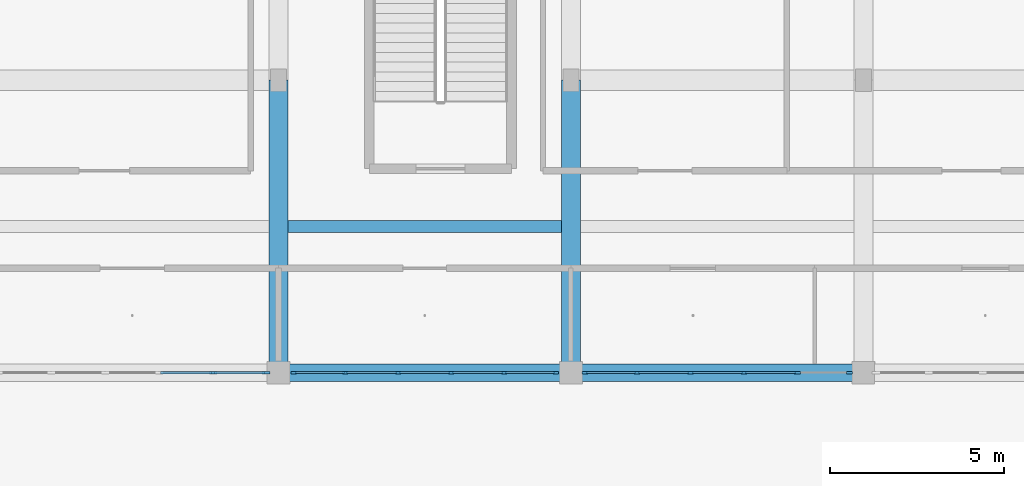
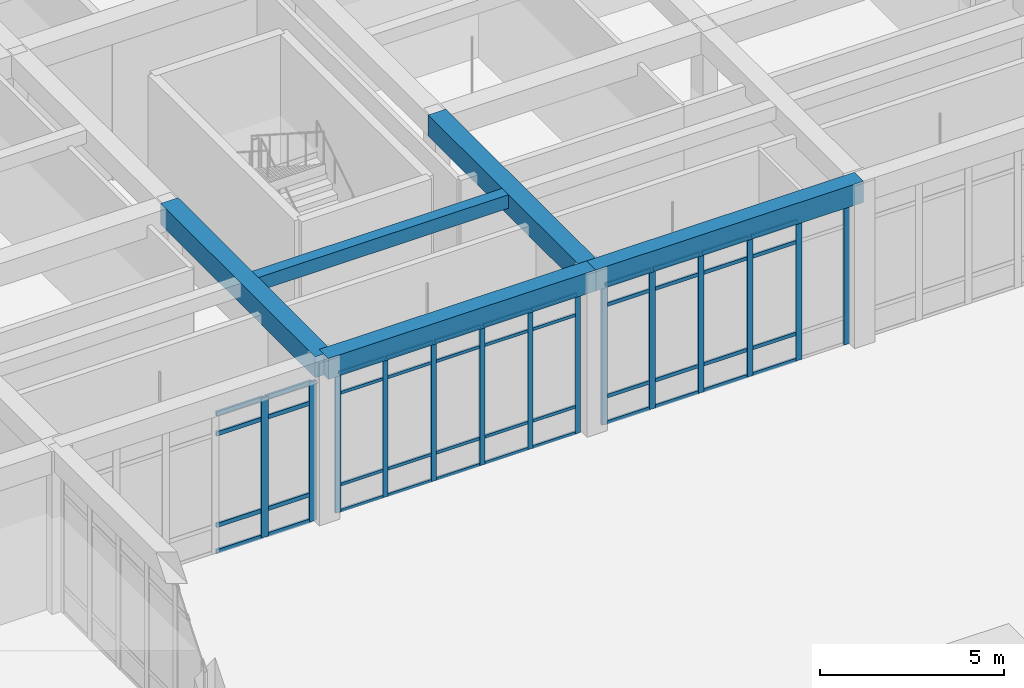
# One storey, part 27 of 167: 58 members, 5 beams, 3 elements without a shape of their own.
"""IFC4 building model written with IfcOpenShell, lengths in metres."""

import ifcopenshell
import ifcopenshell.guid

model = None  # the IFC model being written
_history = None  # IfcOwnerHistory: only IFC2X3 demands one
_inside = {}  # id of a spatial element -> (the spatial element, [elements in it])
_under = {}  # id of a project, library or spatial element -> (it, [spatial elements below it])
_declared = {}  # id of a project -> (the project, [libraries it declares])
_typed = {}  # id of a type object -> (the type object, [elements of that type])
_made_of = {}  # id of a material, layer set ... -> (it, [elements and type objects made of it])


def new_model(schema):
    """Start an empty IFC model of exactly this schema.

    Asked for "IFC4X3", IfcOpenShell would pick the latest addendum, in which some entities
    have other attributes; the version numbers below select the first issue.
    IFC2X3 requires an IfcOwnerHistory on every rooted entity: one is made here for all.
    """
    global model, _history
    if schema == "IFC4X3":
        model = ifcopenshell.file(schema_version=(4, 3, 0, 0))
    else:
        model = ifcopenshell.file(schema=schema)
    _inside.clear()
    _under.clear()
    _declared.clear()
    _typed.clear()
    _made_of.clear()
    _history = None
    if model.schema == "IFC2X3":
        org = make("IfcOrganization", Name="unknown")
        user = make(
            "IfcPersonAndOrganization",
            ThePerson=make("IfcPerson", FamilyName="unknown"),
            TheOrganization=org,
        )
        app = make(
            "IfcApplication",
            ApplicationDeveloper=org,
            Version="unknown",
            ApplicationFullName="unknown",
            ApplicationIdentifier="unknown",
        )
        _history = make(
            "IfcOwnerHistory",
            OwningUser=user,
            OwningApplication=app,
            ChangeAction="ADDED",
            CreationDate=0,
        )
    return model


def make(cls, **values):
    """One entity of the class cls with the attributes given. An attribute that is None is left unset."""
    return model.create_entity(
        cls, **{name: value for name, value in values.items() if value is not None}
    )


def rooted(cls, **values):
    """An entity with a GlobalId (a new one), such as an element, a storey or a relation."""
    return make(cls, GlobalId=ifcopenshell.guid.new(), OwnerHistory=_history, **values)


def si_unit(unit_type, name, prefix=None):
    """IfcSIUnit, for example si_unit("LENGTHUNIT", "METRE", prefix="MILLI")."""
    return make("IfcSIUnit", UnitType=unit_type, Prefix=prefix, Name=name)


def assignment(units):
    """IfcUnitAssignment: the units of a project."""
    return None if units is None else make("IfcUnitAssignment", Units=units)


def point(xyz):
    """IfcCartesianPoint."""
    return None if xyz is None else make("IfcCartesianPoint", Coordinates=xyz)


def direction(xyz):
    """IfcDirection."""
    return None if xyz is None else make("IfcDirection", DirectionRatios=xyz)


def frame(location, z_axis=None, x_axis=None):
    """IfcAxis2Placement3D, a coordinate frame: its origin and axes. An axis left out is left unset."""
    return make(
        "IfcAxis2Placement3D",
        Location=point(location),
        Axis=direction(z_axis),
        RefDirection=direction(x_axis),
    )


def frame_2d(location, x_axis=None):
    """IfcAxis2Placement2D, a coordinate frame in the plane: its origin and x axis."""
    return make(
        "IfcAxis2Placement2D", Location=point(location), RefDirection=direction(x_axis)
    )


def origin():
    """The frame at (0, 0, 0) with its axes left unset."""
    return frame((0.0, 0.0, 0.0))


def origin_2d():
    """The frame at (0, 0) in the plane with its x axis left unset."""
    return frame_2d((0.0, 0.0))


def place(relative_to, where):
    """IfcLocalPlacement: puts the frame where relative to a parent placement (None: the world)."""
    return make(
        "IfcLocalPlacement", PlacementRelTo=relative_to, RelativePlacement=where
    )


def context(
    kind, dimensions, precision=None, world=None, true_north=None, identifier=None
):
    """IfcGeometricRepresentationContext, for example the 3D "Model" context."""
    return make(
        "IfcGeometricRepresentationContext",
        ContextIdentifier=identifier,
        ContextType=kind,
        CoordinateSpaceDimension=dimensions,
        Precision=precision,
        WorldCoordinateSystem=world,
        TrueNorth=true_north,
    )


def subcontext(parent, identifier, kind, view, scale=None):
    """IfcGeometricRepresentationSubContext, for example "Body" below "Model"."""
    return make(
        "IfcGeometricRepresentationSubContext",
        ContextIdentifier=identifier,
        ContextType=kind,
        ParentContext=parent,
        TargetScale=scale,
        TargetView=view,
    )


def project(units=None, contexts=None):
    """IfcProject with its units and contexts."""
    return rooted(
        "IfcProject",
        Name="project",
        RepresentationContexts=contexts,
        UnitsInContext=assignment(units),
    )


def spatial(cls, under=None, at=None, **own):
    """A site, building, storey or space (cls), placed at a placement, below another one or the project."""
    s = rooted(cls, ObjectPlacement=at, **own)
    if under is not None:
        _under.setdefault(under.id(), (under, []))[1].append(s)
    return s


def profile(cls, at=None, kind="AREA", **sizes):
    """A parametric profile (cls). Its sizes go by their IFC names, for example OverallWidth=200.0."""
    return make(cls, ProfileType=kind, Position=at, **sizes)


def rectangle(**sizes):
    """IfcRectangleProfileDef."""
    return profile("IfcRectangleProfileDef", **sizes)


def extrude(swept, where, along, depth):
    """IfcExtrudedAreaSolid: the profile swept, set in the frame where, extruded along a direction by depth."""
    return make(
        "IfcExtrudedAreaSolid",
        SweptArea=swept,
        Position=where,
        ExtrudedDirection=direction(along),
        Depth=depth,
    )


def shape(context_of_items, identifier, shape_type, items):
    """IfcShapeRepresentation: the items that make up one representation, for example the "Body"."""
    return make(
        "IfcShapeRepresentation",
        ContextOfItems=context_of_items,
        RepresentationIdentifier=identifier,
        RepresentationType=shape_type,
        Items=items,
    )


def material(Name=None, Category=None):
    """IfcMaterial."""
    return make("IfcMaterial", Name=Name, Category=Category)


def material_profile(
    of_material, cross_section, Name=None, Category=None, Priority=None
):
    """IfcMaterialProfile: a cross section and its material."""
    return make(
        "IfcMaterialProfile",
        Name=Name,
        Material=of_material,
        Profile=cross_section,
        Priority=Priority,
        Category=Category,
    )


def profile_set(profiles, Name=None, composite=None):
    """IfcMaterialProfileSet."""
    return make(
        "IfcMaterialProfileSet",
        Name=Name,
        MaterialProfiles=profiles,
        CompositeProfile=composite,
    )


def made_of(thing, what):
    """Note that an element or type object is made of a material, layer set ...; save() writes the relation."""
    if what is not None:
        _made_of.setdefault(what.id(), (what, []))[1].append(thing)
    return thing


def type_object(cls, material=None, **own):
    """A type object (cls), such as IfcWallType, which elements share."""
    return made_of(rooted(cls, **own), material)


def element(
    cls,
    number,
    at=None,
    inside=None,
    cuts=None,
    type_object=None,
    material=None,
    context=None,
    identifier="Body",
    shape_type=None,
    held_by="IfcProductDefinitionShape",
    body=None,
    shapes=None,
    **own,
):
    """One element of the class cls, such as IfcWall. Its Tag is "e" and its number.

    at: its placement. inside: the storey or other place that contains it. cuts: it is an
    opening in that element (IfcRelVoidsElement). A single representation is given by context,
    identifier, shape_type and body (its items); several are given by shapes. held_by: the class
    of the entity that holds the representations. save() writes the other relations.
    """
    e = rooted(cls, Tag="e%d" % number, ObjectPlacement=at, **own)
    if body is not None:
        shapes = [shape(context, identifier, shape_type, body)]
    if shapes is not None:
        e.Representation = make(held_by, Representations=shapes)
    if inside is not None:
        _inside.setdefault(inside.id(), (inside, []))[1].append(e)
    if cuts is not None:
        rooted(
            "IfcRelVoidsElement", RelatingBuildingElement=cuts, RelatedOpeningElement=e
        )
    if type_object is not None:
        _typed.setdefault(type_object.id(), (type_object, []))[1].append(e)
    return made_of(e, material)


def aggregate(whole, parts):
    """IfcRelAggregates: a whole, such as a stair, and the parts it consists of."""
    return rooted("IfcRelAggregates", RelatingObject=whole, RelatedObjects=parts)


def save(model, path):
    """Write the relations noted so far, then the file.

    IfcRelAggregates (storeys below a building ...), IfcRelContainedInSpatialStructure (elements
    in a storey), IfcRelDefinesByType, IfcRelAssociatesMaterial and IfcRelDeclares: one each for
    every whole, place, type object, material and project.
    """
    for whole, parts in _under.values():
        aggregate(whole, parts)
    for where, things in _inside.values():
        rooted(
            "IfcRelContainedInSpatialStructure",
            RelatedElements=things,
            RelatingStructure=where,
        )
    for kind, things in _typed.values():
        rooted("IfcRelDefinesByType", RelatedObjects=things, RelatingType=kind)
    for what, things in _made_of.values():
        rooted("IfcRelAssociatesMaterial", RelatedObjects=things, RelatingMaterial=what)
    for by, libraries in _declared.values():
        rooted("IfcRelDeclares", RelatingContext=by, RelatedDefinitions=libraries)
    model.write(path)


model = new_model("IFC4")

# Units and contexts
model_context = context("Model", 3, precision=1e-05, world=origin(), true_north=direction((0.0, 1.0)))
body_context = subcontext(model_context, "Body", "Model", "MODEL_VIEW")
ifc_project = project(units=[si_unit("LENGTHUNIT", "METRE"), si_unit("AREAUNIT", "SQUARE_METRE"), si_unit("VOLUMEUNIT", "CUBIC_METRE"), si_unit("PLANEANGLEUNIT", "RADIAN"), si_unit("MASSUNIT", "GRAM", prefix="KILO")], contexts=[model_context])

# Site, building, storey
site_placement = place(None, origin())
site = spatial("IfcSite", under=ifc_project, at=site_placement, CompositionType="ELEMENT")
building_placement = place(site_placement, origin())
building = spatial("IfcBuilding", under=site, at=building_placement, Name="Varncliffe General Hospital", CompositionType="ELEMENT")
storey_placement = place(building_placement, origin())
storey = spatial("IfcBuildingStorey", under=building, at=storey_placement, Name="L00", CompositionType="ELEMENT", Elevation=0.0)

# Beams
ifc_material_1 = material(Name="Concrete C35/45 (CSA A23.1 35 MPa)", Category="concrete")
ifc_material_profile_1 = material_profile(ifc_material_1, rectangle(XDim=0.550048828125, YDim=0.699951171875, at=origin_2d()), Name="RC 550x700")
ifc_profile_set_1 = profile_set([ifc_material_profile_1], Name="Concrete C35/45 (CSA A23.1 35 MPa)")
beam_type_1 = type_object("IfcBeamType", Name="Beam B35 (Int RC 550x700)", PredefinedType="BEAM", material=ifc_profile_set_1)
for number, where, z_axis, x_axis, name in (
    (1, (33.60009765625, 82.800048828125, 5.050048828125), (0.0, 1.0, 0.0), (-1.0, 0.0, 0.0), "L00 Primary Beam B35-327"),
    (2, (42.0, 82.800048828125, 5.050048828125), (0.0, 1.0, 0.0), (-1.0, 0.0, 0.0), "L00 Primary Beam B35-336"),
):
    element("IfcBeam", number, at=place(storey_placement, frame(where, z_axis=z_axis, x_axis=x_axis)), inside=storey, type_object=beam_type_1, Name=name, PredefinedType="BEAM", context=body_context, shape_type="SweptSolid", body=[
        extrude(rectangle(XDim=0.550048828125, YDim=0.699951171875, at=origin_2d()), origin(), (0.0, 0.0, 1.0), 8.39990234375),
    ])

# Curtain wall, members
ifc_material_2 = material(Name="Triple low-E argon insulated vision glazing", Category="glass")
curtain_wall_type_1 = type_object("IfcCurtainWallType", Name="Unitised Glazed Curtain Wall CW15 (7674x4640)", PredefinedType="USERDEFINED", material=ifc_material_2)
curtain_wall_1_placement = place(storey_placement, origin())
curtain_wall_1 = element("IfcCurtainWall", 3, at=curtain_wall_1_placement, inside=storey, type_object=curtain_wall_type_1, Name="L00 Glazed Curtain Wall CW15-25", ObjectType="GLAZED CURTAIN WALL", PredefinedType="USERDEFINED")
ifc_material_3 = material(Name="Dark bronze thermally broken aluminium framing", Category="aluminium")
ifc_material_profile_2 = material_profile(ifc_material_3, rectangle(XDim=0.074951171875, YDim=0.179931640625, at=origin_2d()), Name="ALU 75x180")
ifc_profile_set_2 = profile_set([ifc_material_profile_2], Name="Dark bronze thermally broken aluminium framing")
member_type_1 = type_object("IfcMemberType", Name="Curtain Wall Mullion CM44 (ALU 75x180)", PredefinedType="MULLION", material=ifc_profile_set_2)
member_1_placement = place(storey_placement, frame((49.99951171875, 82.800048828125, 0.0), z_axis=(0.0, 0.0, 1.0), x_axis=(0.0, -1.0, 0.0)))
member_1 = element("IfcMember", 4, at=member_1_placement, type_object=member_type_1, Name="CW15 mullion 1", PredefinedType="MULLION", context=body_context, shape_type="SweptSolid", body=[
    extrude(rectangle(XDim=0.074951171875, YDim=0.179931640625, at=origin_2d()), origin(), (0.0, 0.0, 1.0), 4.639892578125),
])
member_2_placement = place(storey_placement, frame((48.502197265625, 82.800048828125, 0.0), z_axis=(0.0, 0.0, 1.0), x_axis=(0.0, -1.0, 0.0)))
member_2 = element("IfcMember", 5, at=member_2_placement, type_object=member_type_1, Name="CW15 mullion 2", PredefinedType="MULLION", context=body_context, shape_type="SweptSolid", body=[
    extrude(rectangle(XDim=0.074951171875, YDim=0.179931640625, at=origin_2d()), origin(), (0.0, 0.0, 1.0), 4.639892578125),
])
member_3_placement = place(storey_placement, frame((46.96728515625, 82.800048828125, 0.0), z_axis=(0.0, 0.0, 1.0), x_axis=(0.0, -1.0, 0.0)))
member_3 = element("IfcMember", 6, at=member_3_placement, type_object=member_type_1, Name="CW15 mullion 3", PredefinedType="MULLION", context=body_context, shape_type="SweptSolid", body=[
    extrude(rectangle(XDim=0.074951171875, YDim=0.179931640625, at=origin_2d()), origin(), (0.0, 0.0, 1.0), 4.639892578125),
])
member_4_placement = place(storey_placement, frame((45.4326171875, 82.800048828125, 0.0), z_axis=(0.0, 0.0, 1.0), x_axis=(0.0, -1.0, 0.0)))
member_4 = element("IfcMember", 7, at=member_4_placement, type_object=member_type_1, Name="CW15 mullion 4", PredefinedType="MULLION", context=body_context, shape_type="SweptSolid", body=[
    extrude(rectangle(XDim=0.074951171875, YDim=0.179931640625, at=origin_2d()), origin(), (0.0, 0.0, 1.0), 4.639892578125),
])
member_5_placement = place(storey_placement, frame((43.897705078125, 82.800048828125, 0.0), z_axis=(0.0, 0.0, 1.0), x_axis=(0.0, -1.0, 0.0)))
member_5 = element("IfcMember", 8, at=member_5_placement, type_object=member_type_1, Name="CW15 mullion 5", PredefinedType="MULLION", context=body_context, shape_type="SweptSolid", body=[
    extrude(rectangle(XDim=0.074951171875, YDim=0.179931640625, at=origin_2d()), origin(), (0.0, 0.0, 1.0), 4.639892578125),
])
member_6_placement = place(storey_placement, frame((42.400390625, 82.800048828125, 0.0), z_axis=(0.0, 0.0, 1.0), x_axis=(0.0, -1.0, 0.0)))
member_6 = element("IfcMember", 9, at=member_6_placement, type_object=member_type_1, Name="CW15 mullion 6", PredefinedType="MULLION", context=body_context, shape_type="SweptSolid", body=[
    extrude(rectangle(XDim=0.074951171875, YDim=0.179931640625, at=origin_2d()), origin(), (0.0, 0.0, 1.0), 4.639892578125),
])

curtain_wall_type_2 = type_object("IfcCurtainWallType", Name="Unitised Glazed Curtain Wall CW26 (7594x4640)", PredefinedType="USERDEFINED", material=ifc_material_2)
curtain_wall_2_placement = place(storey_placement, origin())
curtain_wall_2 = element("IfcCurtainWall", 10, at=curtain_wall_2_placement, inside=storey, type_object=curtain_wall_type_2, Name="L00 Glazed Curtain Wall CW26-26", ObjectType="GLAZED CURTAIN WALL", PredefinedType="USERDEFINED")
ifc_material_profile_3 = material_profile(ifc_material_3, rectangle(XDim=0.06494140625, YDim=0.159912109375, at=origin_2d()), Name="ALU 65x160")
ifc_profile_set_3 = profile_set([ifc_material_profile_3], Name="Dark bronze thermally broken aluminium framing")
member_type_2 = type_object("IfcMemberType", Name="Curtain Wall Mullion CM65 (ALU 65x160)", PredefinedType="MULLION", material=ifc_profile_set_3)
member_7_placement = place(storey_placement, frame((41.564453125, 82.800048828125, 0.0), z_axis=(0.0, 0.0, 1.0), x_axis=(0.0, -1.0, 0.0)))
member_7 = element("IfcMember", 11, at=member_7_placement, type_object=member_type_2, Name="CW26 mullion 1", PredefinedType="MULLION", context=body_context, shape_type="SweptSolid", body=[
    extrude(rectangle(XDim=0.06494140625, YDim=0.159912109375, at=origin_2d()), origin(), (0.0, 0.0, 1.0), 4.639892578125),
])
member_8_placement = place(storey_placement, frame((40.078125, 82.800048828125, 0.0), z_axis=(0.0, 0.0, 1.0), x_axis=(0.0, -1.0, 0.0)))
member_8 = element("IfcMember", 12, at=member_8_placement, type_object=member_type_2, Name="CW26 mullion 2", PredefinedType="MULLION", context=body_context, shape_type="SweptSolid", body=[
    extrude(rectangle(XDim=0.06494140625, YDim=0.159912109375, at=origin_2d()), origin(), (0.0, 0.0, 1.0), 4.639892578125),
])
member_9_placement = place(storey_placement, frame((38.559326171875, 82.800048828125, 0.0), z_axis=(0.0, 0.0, 1.0), x_axis=(0.0, -1.0, 0.0)))
member_9 = element("IfcMember", 13, at=member_9_placement, type_object=member_type_2, Name="CW26 mullion 3", PredefinedType="MULLION", context=body_context, shape_type="SweptSolid", body=[
    extrude(rectangle(XDim=0.06494140625, YDim=0.159912109375, at=origin_2d()), origin(), (0.0, 0.0, 1.0), 4.639892578125),
])
member_10_placement = place(storey_placement, frame((37.04052734375, 82.800048828125, 0.0), z_axis=(0.0, 0.0, 1.0), x_axis=(0.0, -1.0, 0.0)))
member_10 = element("IfcMember", 14, at=member_10_placement, type_object=member_type_2, Name="CW26 mullion 4", PredefinedType="MULLION", context=body_context, shape_type="SweptSolid", body=[
    extrude(rectangle(XDim=0.06494140625, YDim=0.159912109375, at=origin_2d()), origin(), (0.0, 0.0, 1.0), 4.639892578125),
])
member_11_placement = place(storey_placement, frame((35.521728515625, 82.800048828125, 0.0), z_axis=(0.0, 0.0, 1.0), x_axis=(0.0, -1.0, 0.0)))
member_11 = element("IfcMember", 15, at=member_11_placement, type_object=member_type_2, Name="CW26 mullion 5", PredefinedType="MULLION", context=body_context, shape_type="SweptSolid", body=[
    extrude(rectangle(XDim=0.06494140625, YDim=0.159912109375, at=origin_2d()), origin(), (0.0, 0.0, 1.0), 4.639892578125),
])
member_12_placement = place(storey_placement, frame((34.035400390625, 82.800048828125, 0.0), z_axis=(0.0, 0.0, 1.0), x_axis=(0.0, -1.0, 0.0)))
member_12 = element("IfcMember", 16, at=member_12_placement, type_object=member_type_2, Name="CW26 mullion 6", PredefinedType="MULLION", context=body_context, shape_type="SweptSolid", body=[
    extrude(rectangle(XDim=0.06494140625, YDim=0.159912109375, at=origin_2d()), origin(), (0.0, 0.0, 1.0), 4.639892578125),
])

curtain_wall_type_3 = type_object("IfcCurtainWallType", Name="Unitised Glazed Curtain Wall CW66 (7754x4640)", PredefinedType="USERDEFINED", material=ifc_material_2)
curtain_wall_3_placement = place(storey_placement, origin())
curtain_wall_3 = element("IfcCurtainWall", 17, at=curtain_wall_3_placement, inside=storey, type_object=curtain_wall_type_3, Name="L00 Glazed Curtain Wall CW66-27", ObjectType="GLAZED CURTAIN WALL", PredefinedType="USERDEFINED")
ifc_material_profile_4 = material_profile(ifc_material_3, rectangle(XDim=0.074951171875, YDim=0.219970703125, at=origin_2d()), Name="ALU 75x220")
ifc_profile_set_4 = profile_set([ifc_material_profile_4], Name="Dark bronze thermally broken aluminium framing")
member_type_3 = type_object("IfcMemberType", Name="Curtain Wall Mullion CM74 (ALU 75x220)", PredefinedType="MULLION", material=ifc_profile_set_4)
member_13_placement = place(storey_placement, frame((33.239501953125, 82.800048828125, 0.0), z_axis=(0.0, 0.0, 1.0), x_axis=(0.0, -1.0, 0.0)))
member_13 = element("IfcMember", 18, at=member_13_placement, type_object=member_type_3, Name="CW66 mullion 1", PredefinedType="MULLION", context=body_context, shape_type="SweptSolid", body=[
    extrude(rectangle(XDim=0.074951171875, YDim=0.219970703125, at=origin_2d()), origin(), (0.0, 0.0, 1.0), 4.639892578125),
])
member_14_placement = place(storey_placement, frame((31.726318359375, 82.800048828125, 0.0), z_axis=(0.0, 0.0, 1.0), x_axis=(0.0, -1.0, 0.0)))
member_14 = element("IfcMember", 19, at=member_14_placement, type_object=member_type_3, Name="CW66 mullion 2", PredefinedType="MULLION", context=body_context, shape_type="SweptSolid", body=[
    extrude(rectangle(XDim=0.074951171875, YDim=0.219970703125, at=origin_2d()), origin(), (0.0, 0.0, 1.0), 4.639892578125),
])

# Member
ifc_material_profile_5 = material_profile(ifc_material_3, rectangle(XDim=0.06005859375, YDim=0.1201171875, at=origin_2d()), Name="ALU 60x120")
ifc_profile_set_5 = profile_set([ifc_material_profile_5], Name="Dark bronze thermally broken aluminium framing")
member_type_4 = type_object("IfcMemberType", Name="Curtain Wall Transom CT14 (ALU 60x120)", PredefinedType="USERDEFINED", material=ifc_profile_set_5)
member_15_placement = place(storey_placement, frame((48.464599609375, 82.800048828125, 0.030029296875), z_axis=(-1.0, 0.0, 0.0), x_axis=(0.0, -1.0, 0.0)))
member_15 = element("IfcMember", 20, at=member_15_placement, type_object=member_type_4, Name="CW15 transom 2.1", ObjectType="TRANSOM", PredefinedType="USERDEFINED", context=body_context, shape_type="SweptSolid", body=[
    extrude(rectangle(XDim=0.06005859375, YDim=0.1201171875, at=origin_2d()), origin(), (0.0, 0.0, 1.0), 1.459716796875),
])

member_16_placement = place(storey_placement, frame((48.464599609375, 82.800048828125, 0.89990234375), z_axis=(-1.0, 0.0, 0.0), x_axis=(0.0, -1.0, 0.0)))
member_16 = element("IfcMember", 21, at=member_16_placement, type_object=member_type_4, Name="CW15 transom 2.2", ObjectType="TRANSOM", PredefinedType="USERDEFINED", context=body_context, shape_type="SweptSolid", body=[
    extrude(rectangle(XDim=0.06005859375, YDim=0.1201171875, at=origin_2d()), origin(), (0.0, 0.0, 1.0), 1.459716796875),
])

member_17_placement = place(storey_placement, frame((48.464599609375, 82.800048828125, 3.93994140625), z_axis=(-1.0, 0.0, 0.0), x_axis=(0.0, -1.0, 0.0)))
member_17 = element("IfcMember", 22, at=member_17_placement, type_object=member_type_4, Name="CW15 transom 2.3", ObjectType="TRANSOM", PredefinedType="USERDEFINED", context=body_context, shape_type="SweptSolid", body=[
    extrude(rectangle(XDim=0.06005859375, YDim=0.1201171875, at=origin_2d()), origin(), (0.0, 0.0, 1.0), 1.459716796875),
])

member_18_placement = place(storey_placement, frame((48.464599609375, 82.800048828125, 4.610107421875), z_axis=(-1.0, 0.0, 0.0), x_axis=(0.0, -1.0, 0.0)))
member_18 = element("IfcMember", 23, at=member_18_placement, type_object=member_type_4, Name="CW15 transom 2.4", ObjectType="TRANSOM", PredefinedType="USERDEFINED", context=body_context, shape_type="SweptSolid", body=[
    extrude(rectangle(XDim=0.06005859375, YDim=0.1201171875, at=origin_2d()), origin(), (0.0, 0.0, 1.0), 1.459716796875),
])

member_19_placement = place(storey_placement, frame((46.929931640625, 82.800048828125, 0.030029296875), z_axis=(-1.0, 0.0, 0.0), x_axis=(0.0, -1.0, 0.0)))
member_19 = element("IfcMember", 24, at=member_19_placement, type_object=member_type_4, Name="CW15 transom 3.1", ObjectType="TRANSOM", PredefinedType="USERDEFINED", context=body_context, shape_type="SweptSolid", body=[
    extrude(rectangle(XDim=0.06005859375, YDim=0.1201171875, at=origin_2d()), origin(), (0.0, 0.0, 1.0), 1.459716796875),
])

member_20_placement = place(storey_placement, frame((46.929931640625, 82.800048828125, 0.89990234375), z_axis=(-1.0, 0.0, 0.0), x_axis=(0.0, -1.0, 0.0)))
member_20 = element("IfcMember", 25, at=member_20_placement, type_object=member_type_4, Name="CW15 transom 3.2", ObjectType="TRANSOM", PredefinedType="USERDEFINED", context=body_context, shape_type="SweptSolid", body=[
    extrude(rectangle(XDim=0.06005859375, YDim=0.1201171875, at=origin_2d()), origin(), (0.0, 0.0, 1.0), 1.459716796875),
])

member_21_placement = place(storey_placement, frame((46.929931640625, 82.800048828125, 3.93994140625), z_axis=(-1.0, 0.0, 0.0), x_axis=(0.0, -1.0, 0.0)))
member_21 = element("IfcMember", 26, at=member_21_placement, type_object=member_type_4, Name="CW15 transom 3.3", ObjectType="TRANSOM", PredefinedType="USERDEFINED", context=body_context, shape_type="SweptSolid", body=[
    extrude(rectangle(XDim=0.06005859375, YDim=0.1201171875, at=origin_2d()), origin(), (0.0, 0.0, 1.0), 1.459716796875),
])

member_22_placement = place(storey_placement, frame((46.929931640625, 82.800048828125, 4.610107421875), z_axis=(-1.0, 0.0, 0.0), x_axis=(0.0, -1.0, 0.0)))
member_22 = element("IfcMember", 27, at=member_22_placement, type_object=member_type_4, Name="CW15 transom 3.4", ObjectType="TRANSOM", PredefinedType="USERDEFINED", context=body_context, shape_type="SweptSolid", body=[
    extrude(rectangle(XDim=0.06005859375, YDim=0.1201171875, at=origin_2d()), origin(), (0.0, 0.0, 1.0), 1.459716796875),
])

member_23_placement = place(storey_placement, frame((45.39501953125, 82.800048828125, 0.030029296875), z_axis=(-1.0, 0.0, 0.0), x_axis=(0.0, -1.0, 0.0)))
member_23 = element("IfcMember", 28, at=member_23_placement, type_object=member_type_4, Name="CW15 transom 4.1", ObjectType="TRANSOM", PredefinedType="USERDEFINED", context=body_context, shape_type="SweptSolid", body=[
    extrude(rectangle(XDim=0.06005859375, YDim=0.1201171875, at=origin_2d()), origin(), (0.0, 0.0, 1.0), 1.459716796875),
])

member_24_placement = place(storey_placement, frame((45.39501953125, 82.800048828125, 0.89990234375), z_axis=(-1.0, 0.0, 0.0), x_axis=(0.0, -1.0, 0.0)))
member_24 = element("IfcMember", 29, at=member_24_placement, type_object=member_type_4, Name="CW15 transom 4.2", ObjectType="TRANSOM", PredefinedType="USERDEFINED", context=body_context, shape_type="SweptSolid", body=[
    extrude(rectangle(XDim=0.06005859375, YDim=0.1201171875, at=origin_2d()), origin(), (0.0, 0.0, 1.0), 1.459716796875),
])

member_25_placement = place(storey_placement, frame((45.39501953125, 82.800048828125, 3.93994140625), z_axis=(-1.0, 0.0, 0.0), x_axis=(0.0, -1.0, 0.0)))
member_25 = element("IfcMember", 30, at=member_25_placement, type_object=member_type_4, Name="CW15 transom 4.3", ObjectType="TRANSOM", PredefinedType="USERDEFINED", context=body_context, shape_type="SweptSolid", body=[
    extrude(rectangle(XDim=0.06005859375, YDim=0.1201171875, at=origin_2d()), origin(), (0.0, 0.0, 1.0), 1.459716796875),
])

member_26_placement = place(storey_placement, frame((45.39501953125, 82.800048828125, 4.610107421875), z_axis=(-1.0, 0.0, 0.0), x_axis=(0.0, -1.0, 0.0)))
member_26 = element("IfcMember", 31, at=member_26_placement, type_object=member_type_4, Name="CW15 transom 4.4", ObjectType="TRANSOM", PredefinedType="USERDEFINED", context=body_context, shape_type="SweptSolid", body=[
    extrude(rectangle(XDim=0.06005859375, YDim=0.1201171875, at=origin_2d()), origin(), (0.0, 0.0, 1.0), 1.459716796875),
])

member_27_placement = place(storey_placement, frame((43.8603515625, 82.800048828125, 0.030029296875), z_axis=(-1.0, 0.0, 0.0), x_axis=(0.0, -1.0, 0.0)))
member_27 = element("IfcMember", 32, at=member_27_placement, type_object=member_type_4, Name="CW15 transom 5.1", ObjectType="TRANSOM", PredefinedType="USERDEFINED", context=body_context, shape_type="SweptSolid", body=[
    extrude(rectangle(XDim=0.06005859375, YDim=0.1201171875, at=origin_2d()), origin(), (0.0, 0.0, 1.0), 1.42236328125),
])

member_28_placement = place(storey_placement, frame((43.8603515625, 82.800048828125, 0.89990234375), z_axis=(-1.0, 0.0, 0.0), x_axis=(0.0, -1.0, 0.0)))
member_28 = element("IfcMember", 33, at=member_28_placement, type_object=member_type_4, Name="CW15 transom 5.2", ObjectType="TRANSOM", PredefinedType="USERDEFINED", context=body_context, shape_type="SweptSolid", body=[
    extrude(rectangle(XDim=0.06005859375, YDim=0.1201171875, at=origin_2d()), origin(), (0.0, 0.0, 1.0), 1.42236328125),
])

member_29_placement = place(storey_placement, frame((43.8603515625, 82.800048828125, 3.93994140625), z_axis=(-1.0, 0.0, 0.0), x_axis=(0.0, -1.0, 0.0)))
member_29 = element("IfcMember", 34, at=member_29_placement, type_object=member_type_4, Name="CW15 transom 5.3", ObjectType="TRANSOM", PredefinedType="USERDEFINED", context=body_context, shape_type="SweptSolid", body=[
    extrude(rectangle(XDim=0.06005859375, YDim=0.1201171875, at=origin_2d()), origin(), (0.0, 0.0, 1.0), 1.42236328125),
])

member_30_placement = place(storey_placement, frame((43.8603515625, 82.800048828125, 4.610107421875), z_axis=(-1.0, 0.0, 0.0), x_axis=(0.0, -1.0, 0.0)))
member_30 = element("IfcMember", 35, at=member_30_placement, type_object=member_type_4, Name="CW15 transom 5.4", ObjectType="TRANSOM", PredefinedType="USERDEFINED", context=body_context, shape_type="SweptSolid", body=[
    extrude(rectangle(XDim=0.06005859375, YDim=0.1201171875, at=origin_2d()), origin(), (0.0, 0.0, 1.0), 1.42236328125),
])

aggregate(curtain_wall_1, [member_1, member_2, member_3, member_4, member_5, member_6, member_15, member_16, member_17, member_18, member_19, member_20, member_21, member_22, member_23, member_24, member_25, member_26, member_27, member_28, member_29, member_30])

ifc_material_profile_6 = material_profile(ifc_material_3, rectangle(XDim=0.06005859375, YDim=0.10009765625, at=origin_2d()), Name="ALU 60x100")
ifc_profile_set_6 = profile_set([ifc_material_profile_6], Name="Dark bronze thermally broken aluminium framing")
member_type_5 = type_object("IfcMemberType", Name="Curtain Wall Transom CT18 (ALU 60x100)", PredefinedType="USERDEFINED", material=ifc_profile_set_6)
member_31_placement = place(storey_placement, frame((41.531982421875, 82.800048828125, 0.030029296875), z_axis=(-1.0, 0.0, 0.0), x_axis=(0.0, -1.0, 0.0)))
member_31 = element("IfcMember", 36, at=member_31_placement, type_object=member_type_5, Name="CW26 transom 1.1", ObjectType="TRANSOM", PredefinedType="USERDEFINED", context=body_context, shape_type="SweptSolid", body=[
    extrude(rectangle(XDim=0.06005859375, YDim=0.10009765625, at=origin_2d()), origin(), (0.0, 0.0, 1.0), 1.42138671875),
])

member_32_placement = place(storey_placement, frame((41.531982421875, 82.800048828125, 0.89990234375), z_axis=(-1.0, 0.0, 0.0), x_axis=(0.0, -1.0, 0.0)))
member_32 = element("IfcMember", 37, at=member_32_placement, type_object=member_type_5, Name="CW26 transom 1.2", ObjectType="TRANSOM", PredefinedType="USERDEFINED", context=body_context, shape_type="SweptSolid", body=[
    extrude(rectangle(XDim=0.06005859375, YDim=0.10009765625, at=origin_2d()), origin(), (0.0, 0.0, 1.0), 1.42138671875),
])

member_33_placement = place(storey_placement, frame((41.531982421875, 82.800048828125, 3.93994140625), z_axis=(-1.0, 0.0, 0.0), x_axis=(0.0, -1.0, 0.0)))
member_33 = element("IfcMember", 38, at=member_33_placement, type_object=member_type_5, Name="CW26 transom 1.3", ObjectType="TRANSOM", PredefinedType="USERDEFINED", context=body_context, shape_type="SweptSolid", body=[
    extrude(rectangle(XDim=0.06005859375, YDim=0.10009765625, at=origin_2d()), origin(), (0.0, 0.0, 1.0), 1.42138671875),
])

member_34_placement = place(storey_placement, frame((41.531982421875, 82.800048828125, 4.610107421875), z_axis=(-1.0, 0.0, 0.0), x_axis=(0.0, -1.0, 0.0)))
member_34 = element("IfcMember", 39, at=member_34_placement, type_object=member_type_5, Name="CW26 transom 1.4", ObjectType="TRANSOM", PredefinedType="USERDEFINED", context=body_context, shape_type="SweptSolid", body=[
    extrude(rectangle(XDim=0.06005859375, YDim=0.10009765625, at=origin_2d()), origin(), (0.0, 0.0, 1.0), 1.42138671875),
])

member_35_placement = place(storey_placement, frame((40.045654296875, 82.800048828125, 0.030029296875), z_axis=(-1.0, 0.0, 0.0), x_axis=(0.0, -1.0, 0.0)))
member_35 = element("IfcMember", 40, at=member_35_placement, type_object=member_type_5, Name="CW26 transom 2.1", ObjectType="TRANSOM", PredefinedType="USERDEFINED", context=body_context, shape_type="SweptSolid", body=[
    extrude(rectangle(XDim=0.06005859375, YDim=0.10009765625, at=origin_2d()), origin(), (0.0, 0.0, 1.0), 1.453857421875),
])

member_36_placement = place(storey_placement, frame((40.045654296875, 82.800048828125, 0.89990234375), z_axis=(-1.0, 0.0, 0.0), x_axis=(0.0, -1.0, 0.0)))
member_36 = element("IfcMember", 41, at=member_36_placement, type_object=member_type_5, Name="CW26 transom 2.2", ObjectType="TRANSOM", PredefinedType="USERDEFINED", context=body_context, shape_type="SweptSolid", body=[
    extrude(rectangle(XDim=0.06005859375, YDim=0.10009765625, at=origin_2d()), origin(), (0.0, 0.0, 1.0), 1.453857421875),
])

member_37_placement = place(storey_placement, frame((40.045654296875, 82.800048828125, 3.93994140625), z_axis=(-1.0, 0.0, 0.0), x_axis=(0.0, -1.0, 0.0)))
member_37 = element("IfcMember", 42, at=member_37_placement, type_object=member_type_5, Name="CW26 transom 2.3", ObjectType="TRANSOM", PredefinedType="USERDEFINED", context=body_context, shape_type="SweptSolid", body=[
    extrude(rectangle(XDim=0.06005859375, YDim=0.10009765625, at=origin_2d()), origin(), (0.0, 0.0, 1.0), 1.453857421875),
])

member_38_placement = place(storey_placement, frame((40.045654296875, 82.800048828125, 4.610107421875), z_axis=(-1.0, 0.0, 0.0), x_axis=(0.0, -1.0, 0.0)))
member_38 = element("IfcMember", 43, at=member_38_placement, type_object=member_type_5, Name="CW26 transom 2.4", ObjectType="TRANSOM", PredefinedType="USERDEFINED", context=body_context, shape_type="SweptSolid", body=[
    extrude(rectangle(XDim=0.06005859375, YDim=0.10009765625, at=origin_2d()), origin(), (0.0, 0.0, 1.0), 1.453857421875),
])

member_39_placement = place(storey_placement, frame((38.52685546875, 82.800048828125, 0.030029296875), z_axis=(-1.0, 0.0, 0.0), x_axis=(0.0, -1.0, 0.0)))
member_39 = element("IfcMember", 44, at=member_39_placement, type_object=member_type_5, Name="CW26 transom 3.1", ObjectType="TRANSOM", PredefinedType="USERDEFINED", context=body_context, shape_type="SweptSolid", body=[
    extrude(rectangle(XDim=0.06005859375, YDim=0.10009765625, at=origin_2d()), origin(), (0.0, 0.0, 1.0), 1.453857421875),
])

member_40_placement = place(storey_placement, frame((38.52685546875, 82.800048828125, 0.89990234375), z_axis=(-1.0, 0.0, 0.0), x_axis=(0.0, -1.0, 0.0)))
member_40 = element("IfcMember", 45, at=member_40_placement, type_object=member_type_5, Name="CW26 transom 3.2", ObjectType="TRANSOM", PredefinedType="USERDEFINED", context=body_context, shape_type="SweptSolid", body=[
    extrude(rectangle(XDim=0.06005859375, YDim=0.10009765625, at=origin_2d()), origin(), (0.0, 0.0, 1.0), 1.453857421875),
])

member_41_placement = place(storey_placement, frame((38.52685546875, 82.800048828125, 3.93994140625), z_axis=(-1.0, 0.0, 0.0), x_axis=(0.0, -1.0, 0.0)))
member_41 = element("IfcMember", 46, at=member_41_placement, type_object=member_type_5, Name="CW26 transom 3.3", ObjectType="TRANSOM", PredefinedType="USERDEFINED", context=body_context, shape_type="SweptSolid", body=[
    extrude(rectangle(XDim=0.06005859375, YDim=0.10009765625, at=origin_2d()), origin(), (0.0, 0.0, 1.0), 1.453857421875),
])

member_42_placement = place(storey_placement, frame((38.52685546875, 82.800048828125, 4.610107421875), z_axis=(-1.0, 0.0, 0.0), x_axis=(0.0, -1.0, 0.0)))
member_42 = element("IfcMember", 47, at=member_42_placement, type_object=member_type_5, Name="CW26 transom 3.4", ObjectType="TRANSOM", PredefinedType="USERDEFINED", context=body_context, shape_type="SweptSolid", body=[
    extrude(rectangle(XDim=0.06005859375, YDim=0.10009765625, at=origin_2d()), origin(), (0.0, 0.0, 1.0), 1.453857421875),
])

member_43_placement = place(storey_placement, frame((37.008056640625, 82.800048828125, 0.030029296875), z_axis=(-1.0, 0.0, 0.0), x_axis=(0.0, -1.0, 0.0)))
member_43 = element("IfcMember", 48, at=member_43_placement, type_object=member_type_5, Name="CW26 transom 4.1", ObjectType="TRANSOM", PredefinedType="USERDEFINED", context=body_context, shape_type="SweptSolid", body=[
    extrude(rectangle(XDim=0.06005859375, YDim=0.10009765625, at=origin_2d()), origin(), (0.0, 0.0, 1.0), 1.453857421875),
])

member_44_placement = place(storey_placement, frame((37.008056640625, 82.800048828125, 0.89990234375), z_axis=(-1.0, 0.0, 0.0), x_axis=(0.0, -1.0, 0.0)))
member_44 = element("IfcMember", 49, at=member_44_placement, type_object=member_type_5, Name="CW26 transom 4.2", ObjectType="TRANSOM", PredefinedType="USERDEFINED", context=body_context, shape_type="SweptSolid", body=[
    extrude(rectangle(XDim=0.06005859375, YDim=0.10009765625, at=origin_2d()), origin(), (0.0, 0.0, 1.0), 1.453857421875),
])

member_45_placement = place(storey_placement, frame((37.008056640625, 82.800048828125, 3.93994140625), z_axis=(-1.0, 0.0, 0.0), x_axis=(0.0, -1.0, 0.0)))
member_45 = element("IfcMember", 50, at=member_45_placement, type_object=member_type_5, Name="CW26 transom 4.3", ObjectType="TRANSOM", PredefinedType="USERDEFINED", context=body_context, shape_type="SweptSolid", body=[
    extrude(rectangle(XDim=0.06005859375, YDim=0.10009765625, at=origin_2d()), origin(), (0.0, 0.0, 1.0), 1.453857421875),
])

member_46_placement = place(storey_placement, frame((37.008056640625, 82.800048828125, 4.610107421875), z_axis=(-1.0, 0.0, 0.0), x_axis=(0.0, -1.0, 0.0)))
member_46 = element("IfcMember", 51, at=member_46_placement, type_object=member_type_5, Name="CW26 transom 4.4", ObjectType="TRANSOM", PredefinedType="USERDEFINED", context=body_context, shape_type="SweptSolid", body=[
    extrude(rectangle(XDim=0.06005859375, YDim=0.10009765625, at=origin_2d()), origin(), (0.0, 0.0, 1.0), 1.453857421875),
])

member_47_placement = place(storey_placement, frame((35.4892578125, 82.800048828125, 0.030029296875), z_axis=(-1.0, 0.0, 0.0), x_axis=(0.0, -1.0, 0.0)))
member_47 = element("IfcMember", 52, at=member_47_placement, type_object=member_type_5, Name="CW26 transom 5.1", ObjectType="TRANSOM", PredefinedType="USERDEFINED", context=body_context, shape_type="SweptSolid", body=[
    extrude(rectangle(XDim=0.06005859375, YDim=0.10009765625, at=origin_2d()), origin(), (0.0, 0.0, 1.0), 1.421142578125),
])

member_48_placement = place(storey_placement, frame((35.4892578125, 82.800048828125, 0.89990234375), z_axis=(-1.0, 0.0, 0.0), x_axis=(0.0, -1.0, 0.0)))
member_48 = element("IfcMember", 53, at=member_48_placement, type_object=member_type_5, Name="CW26 transom 5.2", ObjectType="TRANSOM", PredefinedType="USERDEFINED", context=body_context, shape_type="SweptSolid", body=[
    extrude(rectangle(XDim=0.06005859375, YDim=0.10009765625, at=origin_2d()), origin(), (0.0, 0.0, 1.0), 1.421142578125),
])

member_49_placement = place(storey_placement, frame((35.4892578125, 82.800048828125, 3.93994140625), z_axis=(-1.0, 0.0, 0.0), x_axis=(0.0, -1.0, 0.0)))
member_49 = element("IfcMember", 54, at=member_49_placement, type_object=member_type_5, Name="CW26 transom 5.3", ObjectType="TRANSOM", PredefinedType="USERDEFINED", context=body_context, shape_type="SweptSolid", body=[
    extrude(rectangle(XDim=0.06005859375, YDim=0.10009765625, at=origin_2d()), origin(), (0.0, 0.0, 1.0), 1.421142578125),
])

member_50_placement = place(storey_placement, frame((35.4892578125, 82.800048828125, 4.610107421875), z_axis=(-1.0, 0.0, 0.0), x_axis=(0.0, -1.0, 0.0)))
member_50 = element("IfcMember", 55, at=member_50_placement, type_object=member_type_5, Name="CW26 transom 5.4", ObjectType="TRANSOM", PredefinedType="USERDEFINED", context=body_context, shape_type="SweptSolid", body=[
    extrude(rectangle(XDim=0.06005859375, YDim=0.10009765625, at=origin_2d()), origin(), (0.0, 0.0, 1.0), 1.421142578125),
])

aggregate(curtain_wall_2, [member_7, member_8, member_9, member_10, member_11, member_12, member_31, member_32, member_33, member_34, member_35, member_36, member_37, member_38, member_39, member_40, member_41, member_42, member_43, member_44, member_45, member_46, member_47, member_48, member_49, member_50])

ifc_material_profile_7 = material_profile(ifc_material_3, rectangle(XDim=0.06494140625, YDim=0.139892578125, at=origin_2d()), Name="ALU 65x140")
ifc_profile_set_7 = profile_set([ifc_material_profile_7], Name="Dark bronze thermally broken aluminium framing")
member_type_6 = type_object("IfcMemberType", Name="Curtain Wall Transom CT69 (ALU 65x140)", PredefinedType="USERDEFINED", material=ifc_profile_set_7)
member_51_placement = place(storey_placement, frame((33.201904296875, 82.800048828125, 0.032470703125), z_axis=(-1.0, 0.0, 0.0), x_axis=(0.0, -1.0, 0.0)))
member_51 = element("IfcMember", 56, at=member_51_placement, type_object=member_type_6, Name="CW66 transom 1.1", ObjectType="TRANSOM", PredefinedType="USERDEFINED", context=body_context, shape_type="SweptSolid", body=[
    extrude(rectangle(XDim=0.06494140625, YDim=0.139892578125, at=origin_2d()), origin(), (0.0, 0.0, 1.0), 1.438232421875),
])

member_52_placement = place(storey_placement, frame((33.201904296875, 82.800048828125, 0.89990234375), z_axis=(-1.0, 0.0, 0.0), x_axis=(0.0, -1.0, 0.0)))
member_52 = element("IfcMember", 57, at=member_52_placement, type_object=member_type_6, Name="CW66 transom 1.2", ObjectType="TRANSOM", PredefinedType="USERDEFINED", context=body_context, shape_type="SweptSolid", body=[
    extrude(rectangle(XDim=0.06494140625, YDim=0.139892578125, at=origin_2d()), origin(), (0.0, 0.0, 1.0), 1.438232421875),
])

member_53_placement = place(storey_placement, frame((33.201904296875, 82.800048828125, 3.93994140625), z_axis=(-1.0, 0.0, 0.0), x_axis=(0.0, -1.0, 0.0)))
member_53 = element("IfcMember", 58, at=member_53_placement, type_object=member_type_6, Name="CW66 transom 1.3", ObjectType="TRANSOM", PredefinedType="USERDEFINED", context=body_context, shape_type="SweptSolid", body=[
    extrude(rectangle(XDim=0.06494140625, YDim=0.139892578125, at=origin_2d()), origin(), (0.0, 0.0, 1.0), 1.438232421875),
])

member_54_placement = place(storey_placement, frame((33.201904296875, 82.800048828125, 4.607421875), z_axis=(-1.0, 0.0, 0.0), x_axis=(0.0, -1.0, 0.0)))
member_54 = element("IfcMember", 59, at=member_54_placement, type_object=member_type_6, Name="CW66 transom 1.4", ObjectType="TRANSOM", PredefinedType="USERDEFINED", context=body_context, shape_type="SweptSolid", body=[
    extrude(rectangle(XDim=0.06494140625, YDim=0.139892578125, at=origin_2d()), origin(), (0.0, 0.0, 1.0), 1.438232421875),
])

member_55_placement = place(storey_placement, frame((31.688720703125, 82.800048828125, 0.032470703125), z_axis=(-1.0, 0.0, 0.0), x_axis=(0.0, -1.0, 0.0)))
member_55 = element("IfcMember", 60, at=member_55_placement, type_object=member_type_6, Name="CW66 transom 2.1", ObjectType="TRANSOM", PredefinedType="USERDEFINED", context=body_context, shape_type="SweptSolid", body=[
    extrude(rectangle(XDim=0.06494140625, YDim=0.139892578125, at=origin_2d()), origin(), (0.0, 0.0, 1.0), 1.475830078125),
])

member_56_placement = place(storey_placement, frame((31.688720703125, 82.800048828125, 0.89990234375), z_axis=(-1.0, 0.0, 0.0), x_axis=(0.0, -1.0, 0.0)))
member_56 = element("IfcMember", 61, at=member_56_placement, type_object=member_type_6, Name="CW66 transom 2.2", ObjectType="TRANSOM", PredefinedType="USERDEFINED", context=body_context, shape_type="SweptSolid", body=[
    extrude(rectangle(XDim=0.06494140625, YDim=0.139892578125, at=origin_2d()), origin(), (0.0, 0.0, 1.0), 1.475830078125),
])

member_57_placement = place(storey_placement, frame((31.688720703125, 82.800048828125, 3.93994140625), z_axis=(-1.0, 0.0, 0.0), x_axis=(0.0, -1.0, 0.0)))
member_57 = element("IfcMember", 62, at=member_57_placement, type_object=member_type_6, Name="CW66 transom 2.3", ObjectType="TRANSOM", PredefinedType="USERDEFINED", context=body_context, shape_type="SweptSolid", body=[
    extrude(rectangle(XDim=0.06494140625, YDim=0.139892578125, at=origin_2d()), origin(), (0.0, 0.0, 1.0), 1.475830078125),
])

member_58_placement = place(storey_placement, frame((31.688720703125, 82.800048828125, 4.607421875), z_axis=(-1.0, 0.0, 0.0), x_axis=(0.0, -1.0, 0.0)))
member_58 = element("IfcMember", 63, at=member_58_placement, type_object=member_type_6, Name="CW66 transom 2.4", ObjectType="TRANSOM", PredefinedType="USERDEFINED", context=body_context, shape_type="SweptSolid", body=[
    extrude(rectangle(XDim=0.06494140625, YDim=0.139892578125, at=origin_2d()), origin(), (0.0, 0.0, 1.0), 1.475830078125),
])

aggregate(curtain_wall_3, [member_13, member_14, member_51, member_52, member_53, member_54, member_55, member_56, member_57, member_58])

# Beams
ifc_material_profile_8 = material_profile(ifc_material_1, rectangle(XDim=0.35009765625, YDim=0.449951171875, at=origin_2d()), Name="RC 350x450")
ifc_profile_set_8 = profile_set([ifc_material_profile_8], Name="Concrete C35/45 (CSA A23.1 35 MPa)")
beam_type_2 = type_object("IfcBeamType", Name="Joist J55 (Int RC 350x450)", PredefinedType="JOIST", material=ifc_profile_set_8)
beam_placement = place(storey_placement, frame((33.873046875, 87.0, 5.175048828125), z_axis=(1.0, 0.0, 0.0), x_axis=(0.0, 1.0, 0.0)))
element("IfcBeam", 64, at=beam_placement, inside=storey, type_object=beam_type_2, Name="L00 Secondary Floor Rib J55-20", PredefinedType="JOIST", context=body_context, shape_type="SweptSolid", body=[
    extrude(rectangle(XDim=0.35009765625, YDim=0.449951171875, at=origin_2d()), origin(), (0.0, 0.0, 1.0), 7.85400390625),
])
ifc_material_profile_9 = material_profile(ifc_material_1, rectangle(XDim=0.5, YDim=0.699951171875, at=origin_2d()), Name="RC 500x700")
ifc_profile_set_9 = profile_set([ifc_material_profile_9], Name="Concrete C35/45 (CSA A23.1 35 MPa)")
beam_type_3 = type_object("IfcBeamType", Name="Spandrel SP19 (Ext RC 500x700)", PredefinedType="SPANDREL", material=ifc_profile_set_9)
for number, where, z_axis, x_axis, name in (
    (65, (33.60009765625, 82.800048828125, 5.050048828125), (1.0, 0.0, 0.0), (0.0, 1.0, 0.0), "L00 Spandrel Beam SP19-116"),
    (66, (42.0, 82.800048828125, 5.050048828125), (1.0, 0.0, 0.0), (0.0, 1.0, 0.0), "L00 Spandrel Beam SP19-117"),
):
    element("IfcBeam", number, at=place(storey_placement, frame(where, z_axis=z_axis, x_axis=x_axis)), inside=storey, type_object=beam_type_3, Name=name, PredefinedType="SPANDREL", context=body_context, shape_type="SweptSolid", body=[
        extrude(rectangle(XDim=0.5, YDim=0.699951171875, at=origin_2d()), origin(), (0.0, 0.0, 1.0), 8.39990234375),
    ])

save(model, "model.ifc")
